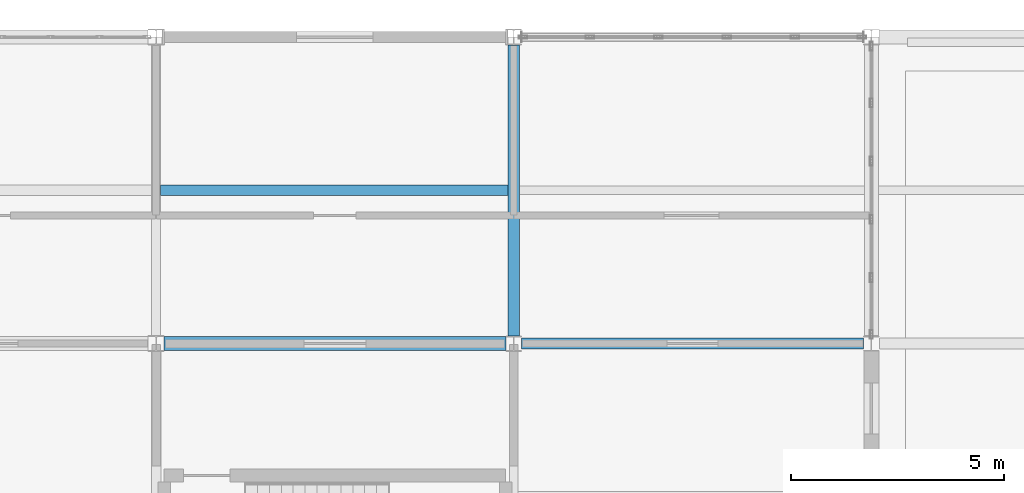
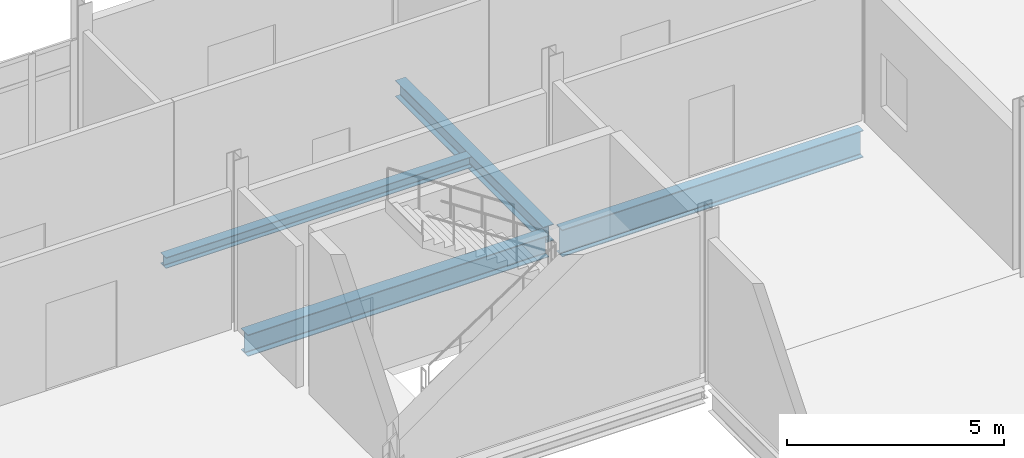
# One storey, part 91 of 186: 4 beams.
"""IFC4 building model written with IfcOpenShell, lengths in metres."""

import ifcopenshell
import ifcopenshell.guid

model = None  # the IFC model being written
_history = None  # IfcOwnerHistory: only IFC2X3 demands one
_inside = {}  # id of a spatial element -> (the spatial element, [elements in it])
_under = {}  # id of a project, library or spatial element -> (it, [spatial elements below it])
_declared = {}  # id of a project -> (the project, [libraries it declares])
_typed = {}  # id of a type object -> (the type object, [elements of that type])
_made_of = {}  # id of a material, layer set ... -> (it, [elements and type objects made of it])


def new_model(schema):
    """Start an empty IFC model of exactly this schema.

    Asked for "IFC4X3", IfcOpenShell would pick the latest addendum, in which some entities
    have other attributes; the version numbers below select the first issue.
    IFC2X3 requires an IfcOwnerHistory on every rooted entity: one is made here for all.
    """
    global model, _history
    if schema == "IFC4X3":
        model = ifcopenshell.file(schema_version=(4, 3, 0, 0))
    else:
        model = ifcopenshell.file(schema=schema)
    _inside.clear()
    _under.clear()
    _declared.clear()
    _typed.clear()
    _made_of.clear()
    _history = None
    if model.schema == "IFC2X3":
        org = make("IfcOrganization", Name="unknown")
        user = make(
            "IfcPersonAndOrganization",
            ThePerson=make("IfcPerson", FamilyName="unknown"),
            TheOrganization=org,
        )
        app = make(
            "IfcApplication",
            ApplicationDeveloper=org,
            Version="unknown",
            ApplicationFullName="unknown",
            ApplicationIdentifier="unknown",
        )
        _history = make(
            "IfcOwnerHistory",
            OwningUser=user,
            OwningApplication=app,
            ChangeAction="ADDED",
            CreationDate=0,
        )
    return model


def make(cls, **values):
    """One entity of the class cls with the attributes given. An attribute that is None is left unset."""
    return model.create_entity(
        cls, **{name: value for name, value in values.items() if value is not None}
    )


def rooted(cls, **values):
    """An entity with a GlobalId (a new one), such as an element, a storey or a relation."""
    return make(cls, GlobalId=ifcopenshell.guid.new(), OwnerHistory=_history, **values)


def si_unit(unit_type, name, prefix=None):
    """IfcSIUnit, for example si_unit("LENGTHUNIT", "METRE", prefix="MILLI")."""
    return make("IfcSIUnit", UnitType=unit_type, Prefix=prefix, Name=name)


def assignment(units):
    """IfcUnitAssignment: the units of a project."""
    return None if units is None else make("IfcUnitAssignment", Units=units)


def point(xyz):
    """IfcCartesianPoint."""
    return None if xyz is None else make("IfcCartesianPoint", Coordinates=xyz)


def direction(xyz):
    """IfcDirection."""
    return None if xyz is None else make("IfcDirection", DirectionRatios=xyz)


def frame(location, z_axis=None, x_axis=None):
    """IfcAxis2Placement3D, a coordinate frame: its origin and axes. An axis left out is left unset."""
    return make(
        "IfcAxis2Placement3D",
        Location=point(location),
        Axis=direction(z_axis),
        RefDirection=direction(x_axis),
    )


def frame_2d(location, x_axis=None):
    """IfcAxis2Placement2D, a coordinate frame in the plane: its origin and x axis."""
    return make(
        "IfcAxis2Placement2D", Location=point(location), RefDirection=direction(x_axis)
    )


def origin():
    """The frame at (0, 0, 0) with its axes left unset."""
    return frame((0.0, 0.0, 0.0))


def origin_2d():
    """The frame at (0, 0) in the plane with its x axis left unset."""
    return frame_2d((0.0, 0.0))


def place(relative_to, where):
    """IfcLocalPlacement: puts the frame where relative to a parent placement (None: the world)."""
    return make(
        "IfcLocalPlacement", PlacementRelTo=relative_to, RelativePlacement=where
    )


def context(
    kind, dimensions, precision=None, world=None, true_north=None, identifier=None
):
    """IfcGeometricRepresentationContext, for example the 3D "Model" context."""
    return make(
        "IfcGeometricRepresentationContext",
        ContextIdentifier=identifier,
        ContextType=kind,
        CoordinateSpaceDimension=dimensions,
        Precision=precision,
        WorldCoordinateSystem=world,
        TrueNorth=true_north,
    )


def subcontext(parent, identifier, kind, view, scale=None):
    """IfcGeometricRepresentationSubContext, for example "Body" below "Model"."""
    return make(
        "IfcGeometricRepresentationSubContext",
        ContextIdentifier=identifier,
        ContextType=kind,
        ParentContext=parent,
        TargetScale=scale,
        TargetView=view,
    )


def project(units=None, contexts=None):
    """IfcProject with its units and contexts."""
    return rooted(
        "IfcProject",
        Name="project",
        RepresentationContexts=contexts,
        UnitsInContext=assignment(units),
    )


def spatial(cls, under=None, at=None, **own):
    """A site, building, storey or space (cls), placed at a placement, below another one or the project."""
    s = rooted(cls, ObjectPlacement=at, **own)
    if under is not None:
        _under.setdefault(under.id(), (under, []))[1].append(s)
    return s


def profile(cls, at=None, kind="AREA", **sizes):
    """A parametric profile (cls). Its sizes go by their IFC names, for example OverallWidth=200.0."""
    return make(cls, ProfileType=kind, Position=at, **sizes)


def i_section(**sizes):
    """IfcIShapeProfileDef."""
    return profile("IfcIShapeProfileDef", **sizes)


def extrude(swept, where, along, depth):
    """IfcExtrudedAreaSolid: the profile swept, set in the frame where, extruded along a direction by depth."""
    return make(
        "IfcExtrudedAreaSolid",
        SweptArea=swept,
        Position=where,
        ExtrudedDirection=direction(along),
        Depth=depth,
    )


def shape(context_of_items, identifier, shape_type, items):
    """IfcShapeRepresentation: the items that make up one representation, for example the "Body"."""
    return make(
        "IfcShapeRepresentation",
        ContextOfItems=context_of_items,
        RepresentationIdentifier=identifier,
        RepresentationType=shape_type,
        Items=items,
    )


def material(Name=None, Category=None):
    """IfcMaterial."""
    return make("IfcMaterial", Name=Name, Category=Category)


def material_profile(
    of_material, cross_section, Name=None, Category=None, Priority=None
):
    """IfcMaterialProfile: a cross section and its material."""
    return make(
        "IfcMaterialProfile",
        Name=Name,
        Material=of_material,
        Profile=cross_section,
        Priority=Priority,
        Category=Category,
    )


def profile_set(profiles, Name=None, composite=None):
    """IfcMaterialProfileSet."""
    return make(
        "IfcMaterialProfileSet",
        Name=Name,
        MaterialProfiles=profiles,
        CompositeProfile=composite,
    )


def made_of(thing, what):
    """Note that an element or type object is made of a material, layer set ...; save() writes the relation."""
    if what is not None:
        _made_of.setdefault(what.id(), (what, []))[1].append(thing)
    return thing


def type_object(cls, material=None, **own):
    """A type object (cls), such as IfcWallType, which elements share."""
    return made_of(rooted(cls, **own), material)


def element(
    cls,
    number,
    at=None,
    inside=None,
    cuts=None,
    type_object=None,
    material=None,
    context=None,
    identifier="Body",
    shape_type=None,
    held_by="IfcProductDefinitionShape",
    body=None,
    shapes=None,
    **own,
):
    """One element of the class cls, such as IfcWall. Its Tag is "e" and its number.

    at: its placement. inside: the storey or other place that contains it. cuts: it is an
    opening in that element (IfcRelVoidsElement). A single representation is given by context,
    identifier, shape_type and body (its items); several are given by shapes. held_by: the class
    of the entity that holds the representations. save() writes the other relations.
    """
    e = rooted(cls, Tag="e%d" % number, ObjectPlacement=at, **own)
    if body is not None:
        shapes = [shape(context, identifier, shape_type, body)]
    if shapes is not None:
        e.Representation = make(held_by, Representations=shapes)
    if inside is not None:
        _inside.setdefault(inside.id(), (inside, []))[1].append(e)
    if cuts is not None:
        rooted(
            "IfcRelVoidsElement", RelatingBuildingElement=cuts, RelatedOpeningElement=e
        )
    if type_object is not None:
        _typed.setdefault(type_object.id(), (type_object, []))[1].append(e)
    return made_of(e, material)


def aggregate(whole, parts):
    """IfcRelAggregates: a whole, such as a stair, and the parts it consists of."""
    return rooted("IfcRelAggregates", RelatingObject=whole, RelatedObjects=parts)


def save(model, path):
    """Write the relations noted so far, then the file.

    IfcRelAggregates (storeys below a building ...), IfcRelContainedInSpatialStructure (elements
    in a storey), IfcRelDefinesByType, IfcRelAssociatesMaterial and IfcRelDeclares: one each for
    every whole, place, type object, material and project.
    """
    for whole, parts in _under.values():
        aggregate(whole, parts)
    for where, things in _inside.values():
        rooted(
            "IfcRelContainedInSpatialStructure",
            RelatedElements=things,
            RelatingStructure=where,
        )
    for kind, things in _typed.values():
        rooted("IfcRelDefinesByType", RelatedObjects=things, RelatingType=kind)
    for what, things in _made_of.values():
        rooted("IfcRelAssociatesMaterial", RelatedObjects=things, RelatingMaterial=what)
    for by, libraries in _declared.values():
        rooted("IfcRelDeclares", RelatingContext=by, RelatedDefinitions=libraries)
    model.write(path)


model = new_model("IFC4")

# Units and contexts
model_context = context("Model", 3, precision=1e-05, world=origin(), true_north=direction((0.0, 1.0)))
body_context = subcontext(model_context, "Body", "Model", "MODEL_VIEW")
ifc_project = project(units=[si_unit("LENGTHUNIT", "METRE"), si_unit("AREAUNIT", "SQUARE_METRE"), si_unit("VOLUMEUNIT", "CUBIC_METRE"), si_unit("PLANEANGLEUNIT", "RADIAN"), si_unit("MASSUNIT", "GRAM", prefix="KILO")], contexts=[model_context])

# Site, building, storey
site_placement = place(None, origin())
site = spatial("IfcSite", under=ifc_project, at=site_placement, CompositionType="ELEMENT")
building_placement = place(site_placement, origin())
building = spatial("IfcBuilding", under=site, at=building_placement, Name="Calvrana Isthmian Art Gallery", CompositionType="ELEMENT")
storey_placement = place(building_placement, frame((0.0, 0.0, 5.39990234375)))
storey = spatial("IfcBuildingStorey", under=building, at=storey_placement, Name="L01", CompositionType="ELEMENT", Elevation=5.39990234375)

# Beams
ifc_material = material(Name="Steel ASTM A992 Gr 50", Category="steel")
ifc_material_profile_1 = material_profile(ifc_material, i_section(OverallWidth=0.279052734375, OverallDepth=0.4619140625, WebThickness=0.0107421875, FlangeThickness=0.017333984375, FilletRadius=0.02001953125, at=origin_2d()), Name="W18X76")
ifc_profile_set_1 = profile_set([ifc_material_profile_1], Name="Steel ASTM A992 Gr 50")
beam_type_1 = type_object("IfcBeamType", Name="BM-G-W18X76", PredefinedType="BEAM", material=ifc_profile_set_1)
beam_1_placement = place(storey_placement, frame((55.199951171875, 105.778076171875, -0.475830078125), z_axis=(0.0, 1.0, 0.0), x_axis=(-1.0, 0.0, 0.0)))
element("IfcBeam", 1, at=beam_1_placement, inside=storey, type_object=beam_type_1, Name="Girder Y L01 08/O-P", PredefinedType="BEAM", context=body_context, shape_type="SweptSolid", body=[
    extrude(i_section(OverallWidth=0.279052734375, OverallDepth=0.4619140625, WebThickness=0.0107421875, FlangeThickness=0.017333984375, FilletRadius=0.02001953125, at=origin_2d()), origin(), (0.0, 0.0, 1.0), 6.84033203125),
])
ifc_material_profile_2 = material_profile(ifc_material, i_section(OverallWidth=0.324951171875, OverallDepth=0.612060546875, WebThickness=0.0126953125, FlangeThickness=0.01904296875, FilletRadius=0.02197265625, at=origin_2d()), Name="W24X104")
ifc_profile_set_2 = profile_set([ifc_material_profile_2], Name="Steel ASTM A992 Gr 50")
beam_type_2 = type_object("IfcBeamType", Name="BM-G-W24X104", PredefinedType="BEAM", material=ifc_profile_set_2)
beam_2_placement = place(storey_placement, frame((46.985595703125, 105.60009765625, -0.55078125), z_axis=(1.0, 0.0, 0.0), x_axis=(0.0, 1.0, 0.0)))
element("IfcBeam", 2, at=beam_2_placement, inside=storey, type_object=beam_type_2, Name="Girder X L01 07-08/O", PredefinedType="BEAM", context=body_context, shape_type="SweptSolid", body=[
    extrude(i_section(OverallWidth=0.324951171875, OverallDepth=0.612060546875, WebThickness=0.0126953125, FlangeThickness=0.01904296875, FilletRadius=0.02197265625, at=origin_2d()), origin(), (0.0, 0.0, 1.0), 8.030517578125),
])
ifc_material_profile_3 = material_profile(ifc_material, i_section(OverallWidth=0.26708984375, OverallDepth=0.761962890625, WebThickness=0.014404296875, FlangeThickness=0.021484375, FilletRadius=0.02490234375, at=origin_2d()), Name="W30X116")
ifc_profile_set_3 = profile_set([ifc_material_profile_3], Name="Steel ASTM A992 Gr 50")
beam_type_3 = type_object("IfcBeamType", Name="BM-G-W30X116", PredefinedType="BEAM", material=ifc_profile_set_3)
beam_3_placement = place(storey_placement, frame((55.384033203125, 105.60009765625, -0.6259765625), z_axis=(1.0, 0.0, 0.0), x_axis=(0.0, 1.0, 0.0)))
element("IfcBeam", 3, at=beam_3_placement, inside=storey, type_object=beam_type_3, Name="Girder X L01 08-09/O", PredefinedType="BEAM", context=body_context, shape_type="SweptSolid", body=[
    extrude(i_section(OverallWidth=0.26708984375, OverallDepth=0.761962890625, WebThickness=0.014404296875, FlangeThickness=0.021484375, FilletRadius=0.02490234375, at=origin_2d()), origin(), (0.0, 0.0, 1.0), 8.029541015625),
])
ifc_material_profile_4 = material_profile(ifc_material, i_section(OverallWidth=0.25390625, OverallDepth=0.306884765625, WebThickness=0.0087890625, FlangeThickness=0.0146484375, FilletRadius=0.01611328125, at=origin_2d()), Name="W12X53")
ifc_profile_set_4 = profile_set([ifc_material_profile_4], Name="Steel ASTM A992 Gr 50")
beam_type_4 = type_object("IfcBeamType", Name="BM-J-W12X53", PredefinedType="JOIST", material=ifc_profile_set_4)
beam_4_placement = place(storey_placement, frame((46.904541015625, 109.199951171875, -0.3984375), z_axis=(1.0, 0.0, 0.0), x_axis=(0.0, 1.0, 0.0)))
element("IfcBeam", 4, at=beam_4_placement, inside=storey, type_object=beam_type_4, Name="Composite joist L01 bay 06-14", PredefinedType="JOIST", context=body_context, shape_type="SweptSolid", body=[
    extrude(i_section(OverallWidth=0.25390625, OverallDepth=0.306884765625, WebThickness=0.0087890625, FlangeThickness=0.0146484375, FilletRadius=0.01611328125, at=origin_2d()), origin(), (0.0, 0.0, 1.0), 8.156005859375),
])

save(model, "model.ifc")
